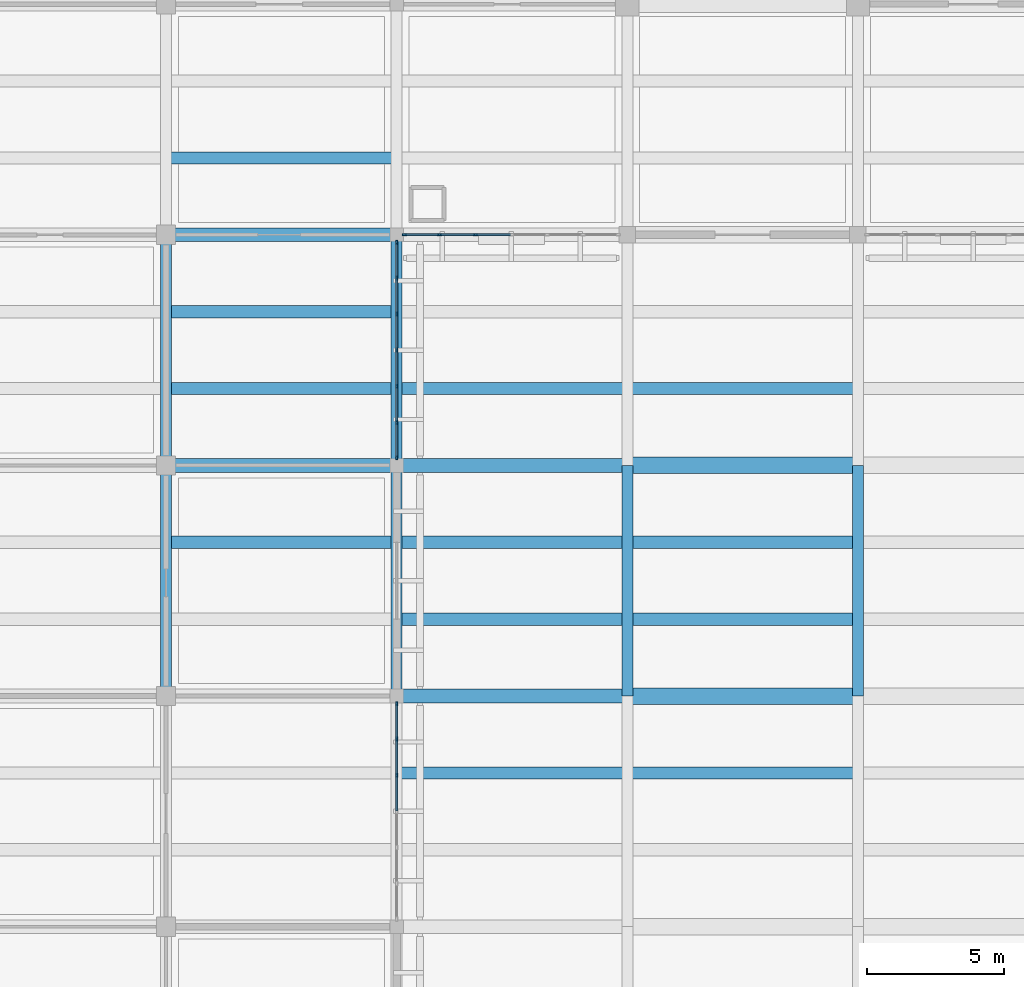
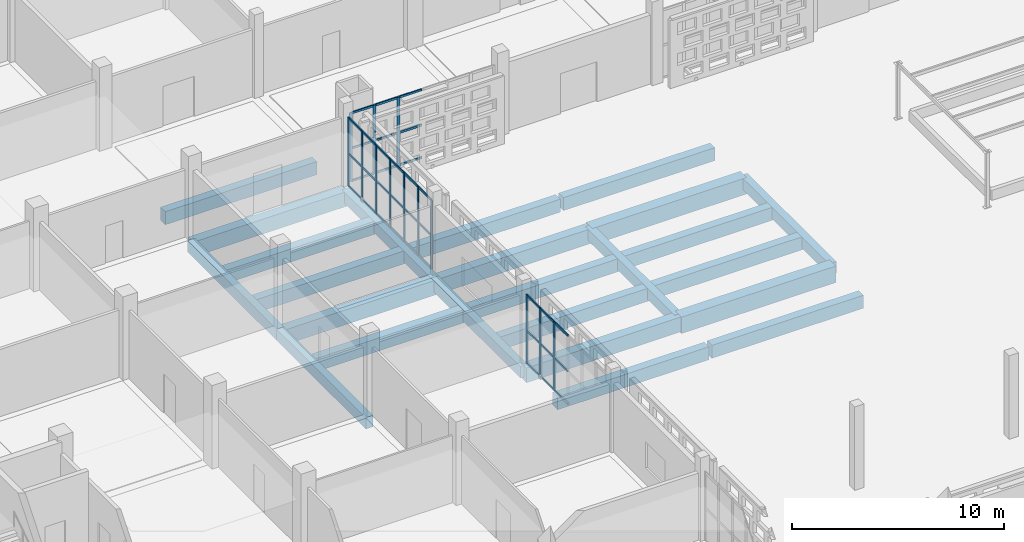
# One storey, part 21 of 129: 49 members, 24 beams, 3 elements without a shape of their own.
"""IFC4 building model written with IfcOpenShell, lengths in metres."""

from ifc_helpers import new_model, si_unit, direction, frame, origin, origin_2d, place, context, subcontext, project, spatial, rectangle, extrude, material, layer, layer_set, material_profile, profile_set, type_object, element, aggregate, save


model = new_model("IFC4")

# Units and contexts
model_context = context("Model", 3, precision=1e-05, world=origin(), true_north=direction((0.0, 1.0)))
body_context = subcontext(model_context, "Body", "Model", "MODEL_VIEW")
ifc_project = project(units=[si_unit("LENGTHUNIT", "METRE"), si_unit("AREAUNIT", "SQUARE_METRE"), si_unit("VOLUMEUNIT", "CUBIC_METRE"), si_unit("PLANEANGLEUNIT", "RADIAN"), si_unit("MASSUNIT", "GRAM", prefix="KILO")], contexts=[model_context])

# Site, building, storey
site_placement = place(None, origin())
site = spatial("IfcSite", under=ifc_project, at=site_placement, CompositionType="ELEMENT")
building_placement = place(site_placement, origin())
building = spatial("IfcBuilding", under=site, at=building_placement, Name="Varnapada Polytechnic", CompositionType="ELEMENT")
storey_placement = place(building_placement, origin())
storey = spatial("IfcBuildingStorey", under=building, at=storey_placement, Name="L00", CompositionType="ELEMENT", Elevation=0.0)

# Beams
ifc_material_1 = material(Name="Concrete C40/50", Category="concrete")
ifc_material_profile_1 = material_profile(ifc_material_1, rectangle(XDim=0.449951171875, YDim=0.75, at=origin_2d()), Name="RC 450x750")
ifc_profile_set_1 = profile_set([ifc_material_profile_1], Name="Concrete C40/50")
beam_type_1 = type_object("IfcBeamType", Name="Basement/podium secondary beam BB-01 (RC 450x750)", PredefinedType="BEAM", material=ifc_profile_set_1)
for number, where, z_axis, x_axis, name in (
    (1, (33.679931640625, 72.800048828125, -0.675048828125), (1.0, 0.0, 0.0), (0.0, 1.0, 0.0), "L00 floor joist 5/9.2"),
    (2, (33.679931640625, 78.39990234375, -0.675048828125), (1.0, 0.0, 0.0), (0.0, 1.0, 0.0), "L00 floor joist 5/10.1"),
    (3, (33.679931640625, 81.199951171875, -0.675048828125), (1.0, 0.0, 0.0), (0.0, 1.0, 0.0), "L00 floor joist 5/10.2"),
    (4, (33.679931640625, 86.800048828125, -0.675048828125), (1.0, 0.0, 0.0), (0.0, 1.0, 0.0), "L00 floor joist 5/11.1"),
    (5, (42.080078125, 64.39990234375, -0.675048828125), (1.0, 0.0, 0.0), (0.0, 1.0, 0.0), "L00 floor joist 6/8.2"),
    (6, (42.080078125, 70.0, -0.675048828125), (1.0, 0.0, 0.0), (0.0, 1.0, 0.0), "L00 floor joist 6/9.1"),
    (7, (42.080078125, 72.800048828125, -0.675048828125), (1.0, 0.0, 0.0), (0.0, 1.0, 0.0), "L00 floor joist 6/9.2"),
    (8, (42.080078125, 78.39990234375, -0.675048828125), (1.0, 0.0, 0.0), (0.0, 1.0, 0.0), "L00 floor joist 6/10.1"),
    (9, (50.47998046875, 64.39990234375, -0.655029296875), (1.0, 0.0, 0.0), (0.0, 1.0, 0.0), "L00 floor joist 7/8.2"),
    (10, (50.47998046875, 70.0, -0.655029296875), (1.0, 0.0, 0.0), (0.0, 1.0, 0.0), "L00 floor joist 7/9.1"),
    (11, (50.47998046875, 72.800048828125, -0.655029296875), (1.0, 0.0, 0.0), (0.0, 1.0, 0.0), "L00 floor joist 7/9.2"),
    (12, (50.47998046875, 78.39990234375, -0.655029296875), (1.0, 0.0, 0.0), (0.0, 1.0, 0.0), "L00 floor joist 7/10.1"),
):
    element("IfcBeam", number, at=place(storey_placement, frame(where, z_axis=z_axis, x_axis=x_axis)), inside=storey, type_object=beam_type_1, Name=name, PredefinedType="BEAM", context=body_context, shape_type="SweptSolid", body=[
        extrude(rectangle(XDim=0.449951171875, YDim=0.75, at=origin_2d()), origin(), (0.0, 0.0, 1.0), 8.239990234375),
    ])

# Curtain wall, members
ifc_material_2 = material(Name="Double low-E laminated glass", Category="glass")
ifc_layer = layer(ifc_material_2, 0.159912109375)
ifc_layer_set = layer_set([ifc_layer], Name="Double low-E laminated glass")
curtain_wall_type = type_object("IfcCurtainWallType", Name="Curtain Wall CW-01", PredefinedType="NOTDEFINED", material=ifc_layer_set)
curtain_wall_1_placement = place(storey_placement, origin())
curtain_wall_1 = element("IfcCurtainWall", 13, at=curtain_wall_1_placement, inside=storey, type_object=curtain_wall_type, Name="L00 unitised curtain wall CW-01 (2)", PredefinedType="NOTDEFINED")
ifc_material_3 = material(Name="Anodised aluminium", Category="aluminium")
ifc_material_profile_2 = material_profile(ifc_material_3, rectangle(XDim=0.06005859375, YDim=0.159912109375, at=origin_2d()), Name="ALU M60x160")
ifc_profile_set_2 = profile_set([ifc_material_profile_2], Name="Anodised aluminium")
member_type_1 = type_object("IfcMemberType", Name="Mullion M-01", PredefinedType="MULLION", material=ifc_profile_set_2)
member_1_placement = place(storey_placement, frame((42.0, 66.919921875, 0.0), z_axis=(0.0, 0.0, 1.0), x_axis=(1.0, 0.0, 0.0)))
member_1 = element("IfcMember", 14, at=member_1_placement, type_object=member_type_1, Name="CW-01 mullion 1", PredefinedType="MULLION", context=body_context, shape_type="SweptSolid", body=[
    extrude(rectangle(XDim=0.06005859375, YDim=0.159912109375, at=origin_2d()), origin(), (0.0, 0.0, 1.0), 3.9599609375),
])
member_2_placement = place(storey_placement, frame((42.0, 65.63330078125, 0.0), z_axis=(0.0, 0.0, 1.0), x_axis=(1.0, 0.0, 0.0)))
member_2 = element("IfcMember", 15, at=member_2_placement, type_object=member_type_1, Name="CW-01 mullion 2", PredefinedType="MULLION", context=body_context, shape_type="SweptSolid", body=[
    extrude(rectangle(XDim=0.06005859375, YDim=0.159912109375, at=origin_2d()), origin(), (0.0, 0.0, 1.0), 3.9599609375),
])
member_3_placement = place(storey_placement, frame((42.0, 64.316650390625, 0.0), z_axis=(0.0, 0.0, 1.0), x_axis=(1.0, 0.0, 0.0)))
member_3 = element("IfcMember", 16, at=member_3_placement, type_object=member_type_1, Name="CW-01 mullion 3", PredefinedType="MULLION", context=body_context, shape_type="SweptSolid", body=[
    extrude(rectangle(XDim=0.06005859375, YDim=0.159912109375, at=origin_2d()), origin(), (0.0, 0.0, 1.0), 3.9599609375),
])

curtain_wall_2_placement = place(storey_placement, origin())
curtain_wall_2 = element("IfcCurtainWall", 17, at=curtain_wall_2_placement, inside=storey, type_object=curtain_wall_type, Name="L00 unitised curtain wall CW-01 (3)", PredefinedType="NOTDEFINED")
member_4_placement = place(storey_placement, frame((42.0, 83.719970703125, 0.0), z_axis=(0.0, 0.0, 1.0), x_axis=(1.0, 0.0, 0.0)))
member_4 = element("IfcMember", 18, at=member_4_placement, type_object=member_type_1, Name="CW-01 mullion 1", PredefinedType="MULLION", context=body_context, shape_type="SweptSolid", body=[
    extrude(rectangle(XDim=0.06005859375, YDim=0.159912109375, at=origin_2d()), origin(), (0.0, 0.0, 1.0), 3.9599609375),
])
member_5_placement = place(storey_placement, frame((42.0, 82.433349609375, 0.0), z_axis=(0.0, 0.0, 1.0), x_axis=(1.0, 0.0, 0.0)))
member_5 = element("IfcMember", 19, at=member_5_placement, type_object=member_type_1, Name="CW-01 mullion 2", PredefinedType="MULLION", context=body_context, shape_type="SweptSolid", body=[
    extrude(rectangle(XDim=0.06005859375, YDim=0.159912109375, at=origin_2d()), origin(), (0.0, 0.0, 1.0), 3.9599609375),
])
member_6_placement = place(storey_placement, frame((42.0, 81.11669921875, 0.0), z_axis=(0.0, 0.0, 1.0), x_axis=(1.0, 0.0, 0.0)))
member_6 = element("IfcMember", 20, at=member_6_placement, type_object=member_type_1, Name="CW-01 mullion 3", PredefinedType="MULLION", context=body_context, shape_type="SweptSolid", body=[
    extrude(rectangle(XDim=0.06005859375, YDim=0.159912109375, at=origin_2d()), origin(), (0.0, 0.0, 1.0), 3.9599609375),
])
member_7_placement = place(storey_placement, frame((42.0, 79.800048828125, 0.0), z_axis=(0.0, 0.0, 1.0), x_axis=(1.0, 0.0, 0.0)))
member_7 = element("IfcMember", 21, at=member_7_placement, type_object=member_type_1, Name="CW-01 mullion 4", PredefinedType="MULLION", context=body_context, shape_type="SweptSolid", body=[
    extrude(rectangle(XDim=0.06005859375, YDim=0.159912109375, at=origin_2d()), origin(), (0.0, 0.0, 1.0), 3.9599609375),
])
member_8_placement = place(storey_placement, frame((42.0, 78.4833984375, 0.0), z_axis=(0.0, 0.0, 1.0), x_axis=(1.0, 0.0, 0.0)))
member_8 = element("IfcMember", 22, at=member_8_placement, type_object=member_type_1, Name="CW-01 mullion 5", PredefinedType="MULLION", context=body_context, shape_type="SweptSolid", body=[
    extrude(rectangle(XDim=0.06005859375, YDim=0.159912109375, at=origin_2d()), origin(), (0.0, 0.0, 1.0), 3.9599609375),
])
member_9_placement = place(storey_placement, frame((42.0, 77.166748046875, 0.0), z_axis=(0.0, 0.0, 1.0), x_axis=(1.0, 0.0, 0.0)))
member_9 = element("IfcMember", 23, at=member_9_placement, type_object=member_type_1, Name="CW-01 mullion 6", PredefinedType="MULLION", context=body_context, shape_type="SweptSolid", body=[
    extrude(rectangle(XDim=0.06005859375, YDim=0.159912109375, at=origin_2d()), origin(), (0.0, 0.0, 1.0), 3.9599609375),
])
member_10_placement = place(storey_placement, frame((42.0, 75.8798828125, 0.0), z_axis=(0.0, 0.0, 1.0), x_axis=(1.0, 0.0, 0.0)))
member_10 = element("IfcMember", 24, at=member_10_placement, type_object=member_type_1, Name="CW-01 mullion 7", PredefinedType="MULLION", context=body_context, shape_type="SweptSolid", body=[
    extrude(rectangle(XDim=0.06005859375, YDim=0.159912109375, at=origin_2d()), origin(), (0.0, 0.0, 1.0), 3.9599609375),
])

curtain_wall_3_placement = place(storey_placement, origin())
curtain_wall_3 = element("IfcCurtainWall", 25, at=curtain_wall_3_placement, inside=storey, type_object=curtain_wall_type, Name="L00 unitised curtain wall CW-01 (5)", PredefinedType="NOTDEFINED")
member_11_placement = place(storey_placement, frame((44.86669921875, 84.0, 0.0), z_axis=(0.0, 0.0, 1.0), x_axis=(0.0, -1.0, 0.0)))
member_11 = element("IfcMember", 26, at=member_11_placement, type_object=member_type_1, Name="CW-01 mullion 5", PredefinedType="MULLION", context=body_context, shape_type="SweptSolid", body=[
    extrude(rectangle(XDim=0.06005859375, YDim=0.159912109375, at=origin_2d()), origin(), (0.0, 0.0, 1.0), 3.9599609375),
])
member_12_placement = place(storey_placement, frame((43.558349609375, 84.0, 0.0), z_axis=(0.0, 0.0, 1.0), x_axis=(0.0, -1.0, 0.0)))
member_12 = element("IfcMember", 27, at=member_12_placement, type_object=member_type_1, Name="CW-01 mullion 6", PredefinedType="MULLION", context=body_context, shape_type="SweptSolid", body=[
    extrude(rectangle(XDim=0.06005859375, YDim=0.159912109375, at=origin_2d()), origin(), (0.0, 0.0, 1.0), 3.9599609375),
])
member_13_placement = place(storey_placement, frame((42.280029296875, 84.0, 0.0), z_axis=(0.0, 0.0, 1.0), x_axis=(0.0, -1.0, 0.0)))
member_13 = element("IfcMember", 28, at=member_13_placement, type_object=member_type_1, Name="CW-01 mullion 7", PredefinedType="MULLION", context=body_context, shape_type="SweptSolid", body=[
    extrude(rectangle(XDim=0.06005859375, YDim=0.159912109375, at=origin_2d()), origin(), (0.0, 0.0, 1.0), 3.9599609375),
])

# Beams
ifc_material_profile_3 = material_profile(ifc_material_1, rectangle(XDim=0.39990234375, YDim=0.64990234375, at=origin_2d()), Name="RC 400x650")
ifc_profile_set_3 = profile_set([ifc_material_profile_3], Name="Concrete C40/50")
beam_type_2 = type_object("IfcBeamType", Name="Podium framing beam BB-02 (RC 400x650)", PredefinedType="BEAM", material=ifc_profile_set_3)
beam_1_placement = place(storey_placement, frame((33.60009765625, 67.199951171875, -0.625), z_axis=(0.0, 1.0, 0.0), x_axis=(-1.0, 0.0, 0.0)))
element("IfcBeam", 29, at=beam_1_placement, inside=storey, type_object=beam_type_2, Name="L00 beam Y 9-10 at X5", PredefinedType="BEAM", context=body_context, shape_type="SweptSolid", body=[
    extrude(rectangle(XDim=0.39990234375, YDim=0.64990234375, at=origin_2d()), origin(), (0.0, 0.0, 1.0), 8.400146484375),
])
beam_2_placement = place(storey_placement, frame((33.60009765625, 75.60009765625, -0.625), z_axis=(0.0, 1.0, 0.0), x_axis=(-1.0, 0.0, 0.0)))
element("IfcBeam", 30, at=beam_2_placement, inside=storey, type_object=beam_type_2, Name="L00 beam Y 10-11 at X5", PredefinedType="BEAM", context=body_context, shape_type="SweptSolid", body=[
    extrude(rectangle(XDim=0.39990234375, YDim=0.64990234375, at=origin_2d()), origin(), (0.0, 0.0, 1.0), 8.39990234375),
])
beam_3_placement = place(storey_placement, frame((42.0, 67.199951171875, -0.625), z_axis=(0.0, 1.0, 0.0), x_axis=(-1.0, 0.0, 0.0)))
element("IfcBeam", 31, at=beam_3_placement, inside=storey, type_object=beam_type_2, Name="L00 beam Y 9-10 at X6", PredefinedType="BEAM", context=body_context, shape_type="SweptSolid", body=[
    extrude(rectangle(XDim=0.39990234375, YDim=0.64990234375, at=origin_2d()), origin(), (0.0, 0.0, 1.0), 8.400146484375),
])
beam_4_placement = place(storey_placement, frame((42.0, 75.60009765625, -0.625), z_axis=(0.0, 1.0, 0.0), x_axis=(-1.0, 0.0, 0.0)))
element("IfcBeam", 32, at=beam_4_placement, inside=storey, type_object=beam_type_2, Name="L00 beam Y 10-11 at X6", PredefinedType="BEAM", context=body_context, shape_type="SweptSolid", body=[
    extrude(rectangle(XDim=0.39990234375, YDim=0.64990234375, at=origin_2d()), origin(), (0.0, 0.0, 1.0), 8.39990234375),
])
for number, where, z_axis, x_axis, name in (
    (33, (50.39990234375, 67.199951171875, -0.60498046875), (0.0, 1.0, 0.0), (-1.0, 0.0, 0.0), "L00 beam Y 9-10 at X7"),
    (34, (58.800048828125, 67.199951171875, -0.60498046875), (0.0, 1.0, 0.0), (-1.0, 0.0, 0.0), "L00 beam Y 9-10 at X8"),
):
    element("IfcBeam", number, at=place(storey_placement, frame(where, z_axis=z_axis, x_axis=x_axis)), inside=storey, type_object=beam_type_2, Name=name, PredefinedType="BEAM", context=body_context, shape_type="SweptSolid", body=[
        extrude(rectangle(XDim=0.39990234375, YDim=0.64990234375, at=origin_2d()), origin(), (0.0, 0.0, 1.0), 8.400146484375),
    ])
ifc_material_profile_4 = material_profile(ifc_material_1, rectangle(XDim=0.5, YDim=0.85009765625, at=origin_2d()), Name="RC 500x850")
ifc_profile_set_4 = profile_set([ifc_material_profile_4], Name="Concrete C40/50")
beam_type_3 = type_object("IfcBeamType", Name="Standard podium primary girder BG-02 (RC 500x850)", PredefinedType="T_BEAM", material=ifc_profile_set_4)
for number, where, z_axis, x_axis, name in (
    (35, (33.60009765625, 75.60009765625, -0.72509765625), (1.0, 0.0, 0.0), (0.0, 1.0, 0.0), "L00 beam X 5-6 at Y10"),
    (36, (33.60009765625, 84.0, -0.72509765625), (1.0, 0.0, 0.0), (0.0, 1.0, 0.0), "L00 beam X 5-6 at Y11"),
    (37, (42.0, 67.199951171875, -0.72509765625), (1.0, 0.0, 0.0), (0.0, 1.0, 0.0), "L00 beam X 6-7 at Y9"),
    (38, (42.0, 75.60009765625, -0.72509765625), (1.0, 0.0, 0.0), (0.0, 1.0, 0.0), "L00 beam X 6-7 at Y10"),
):
    element("IfcBeam", number, at=place(storey_placement, frame(where, z_axis=z_axis, x_axis=x_axis)), inside=storey, type_object=beam_type_3, Name=name, PredefinedType="T_BEAM", context=body_context, shape_type="SweptSolid", body=[
        extrude(rectangle(XDim=0.5, YDim=0.85009765625, at=origin_2d()), origin(), (0.0, 0.0, 1.0), 8.39990234375),
    ])

# Member
ifc_material_profile_5 = material_profile(ifc_material_3, rectangle(XDim=0.06005859375, YDim=0.1201171875, at=origin_2d()), Name="ALU T60x120")
ifc_profile_set_5 = profile_set([ifc_material_profile_5], Name="Anodised aluminium")
member_type_2 = type_object("IfcMemberType", Name="Transom T-01", PredefinedType="USERDEFINED", material=ifc_profile_set_5)
member_14_placement = place(storey_placement, frame((42.0, 66.889892578125, 0.030029296875), z_axis=(0.0, -1.0, 0.0), x_axis=(1.0, 0.0, 0.0)))
member_14 = element("IfcMember", 39, at=member_14_placement, type_object=member_type_2, Name="CW-01 transom 1.1", ObjectType="TRANSOM", PredefinedType="USERDEFINED", context=body_context, shape_type="SweptSolid", body=[
    extrude(rectangle(XDim=0.06005859375, YDim=0.1201171875, at=origin_2d()), origin(), (0.0, 0.0, 1.0), 1.2265625),
])

member_15_placement = place(storey_placement, frame((42.0, 66.889892578125, 1.90087890625), z_axis=(0.0, -1.0, 0.0), x_axis=(1.0, 0.0, 0.0)))
member_15 = element("IfcMember", 40, at=member_15_placement, type_object=member_type_2, Name="CW-01 transom 1.2", ObjectType="TRANSOM", PredefinedType="USERDEFINED", context=body_context, shape_type="SweptSolid", body=[
    extrude(rectangle(XDim=0.06005859375, YDim=0.1201171875, at=origin_2d()), origin(), (0.0, 0.0, 1.0), 1.2265625),
])

member_16_placement = place(storey_placement, frame((42.0, 66.889892578125, 3.929931640625), z_axis=(0.0, -1.0, 0.0), x_axis=(1.0, 0.0, 0.0)))
member_16 = element("IfcMember", 41, at=member_16_placement, type_object=member_type_2, Name="CW-01 transom 1.3", ObjectType="TRANSOM", PredefinedType="USERDEFINED", context=body_context, shape_type="SweptSolid", body=[
    extrude(rectangle(XDim=0.06005859375, YDim=0.1201171875, at=origin_2d()), origin(), (0.0, 0.0, 1.0), 1.2265625),
])

member_17_placement = place(storey_placement, frame((42.0, 65.603271484375, 0.030029296875), z_axis=(0.0, -1.0, 0.0), x_axis=(1.0, 0.0, 0.0)))
member_17 = element("IfcMember", 42, at=member_17_placement, type_object=member_type_2, Name="CW-01 transom 2.1", ObjectType="TRANSOM", PredefinedType="USERDEFINED", context=body_context, shape_type="SweptSolid", body=[
    extrude(rectangle(XDim=0.06005859375, YDim=0.1201171875, at=origin_2d()), origin(), (0.0, 0.0, 1.0), 1.256591796875),
])

member_18_placement = place(storey_placement, frame((42.0, 65.603271484375, 1.90087890625), z_axis=(0.0, -1.0, 0.0), x_axis=(1.0, 0.0, 0.0)))
member_18 = element("IfcMember", 43, at=member_18_placement, type_object=member_type_2, Name="CW-01 transom 2.2", ObjectType="TRANSOM", PredefinedType="USERDEFINED", context=body_context, shape_type="SweptSolid", body=[
    extrude(rectangle(XDim=0.06005859375, YDim=0.1201171875, at=origin_2d()), origin(), (0.0, 0.0, 1.0), 1.256591796875),
])

member_19_placement = place(storey_placement, frame((42.0, 65.603271484375, 3.929931640625), z_axis=(0.0, -1.0, 0.0), x_axis=(1.0, 0.0, 0.0)))
member_19 = element("IfcMember", 44, at=member_19_placement, type_object=member_type_2, Name="CW-01 transom 2.3", ObjectType="TRANSOM", PredefinedType="USERDEFINED", context=body_context, shape_type="SweptSolid", body=[
    extrude(rectangle(XDim=0.06005859375, YDim=0.1201171875, at=origin_2d()), origin(), (0.0, 0.0, 1.0), 1.256591796875),
])

member_20_placement = place(storey_placement, frame((42.0, 64.28662109375, 0.030029296875), z_axis=(0.0, -1.0, 0.0), x_axis=(1.0, 0.0, 0.0)))
member_20 = element("IfcMember", 45, at=member_20_placement, type_object=member_type_2, Name="CW-01 transom 3.1", ObjectType="TRANSOM", PredefinedType="USERDEFINED", context=body_context, shape_type="SweptSolid", body=[
    extrude(rectangle(XDim=0.06005859375, YDim=0.1201171875, at=origin_2d()), origin(), (0.0, 0.0, 1.0), 1.256591796875),
])

member_21_placement = place(storey_placement, frame((42.0, 64.28662109375, 1.90087890625), z_axis=(0.0, -1.0, 0.0), x_axis=(1.0, 0.0, 0.0)))
member_21 = element("IfcMember", 46, at=member_21_placement, type_object=member_type_2, Name="CW-01 transom 3.2", ObjectType="TRANSOM", PredefinedType="USERDEFINED", context=body_context, shape_type="SweptSolid", body=[
    extrude(rectangle(XDim=0.06005859375, YDim=0.1201171875, at=origin_2d()), origin(), (0.0, 0.0, 1.0), 1.256591796875),
])

member_22_placement = place(storey_placement, frame((42.0, 64.28662109375, 3.929931640625), z_axis=(0.0, -1.0, 0.0), x_axis=(1.0, 0.0, 0.0)))
member_22 = element("IfcMember", 47, at=member_22_placement, type_object=member_type_2, Name="CW-01 transom 3.3", ObjectType="TRANSOM", PredefinedType="USERDEFINED", context=body_context, shape_type="SweptSolid", body=[
    extrude(rectangle(XDim=0.06005859375, YDim=0.1201171875, at=origin_2d()), origin(), (0.0, 0.0, 1.0), 1.256591796875),
])

aggregate(curtain_wall_1, [member_1, member_2, member_3, member_14, member_15, member_16, member_17, member_18, member_19, member_20, member_21, member_22])

member_23_placement = place(storey_placement, frame((42.0, 83.68994140625, 0.030029296875), z_axis=(0.0, -1.0, 0.0), x_axis=(1.0, 0.0, 0.0)))
member_23 = element("IfcMember", 48, at=member_23_placement, type_object=member_type_2, Name="CW-01 transom 1.1", ObjectType="TRANSOM", PredefinedType="USERDEFINED", context=body_context, shape_type="SweptSolid", body=[
    extrude(rectangle(XDim=0.06005859375, YDim=0.1201171875, at=origin_2d()), origin(), (0.0, 0.0, 1.0), 1.2265625),
])

member_24_placement = place(storey_placement, frame((42.0, 83.68994140625, 1.90087890625), z_axis=(0.0, -1.0, 0.0), x_axis=(1.0, 0.0, 0.0)))
member_24 = element("IfcMember", 49, at=member_24_placement, type_object=member_type_2, Name="CW-01 transom 1.2", ObjectType="TRANSOM", PredefinedType="USERDEFINED", context=body_context, shape_type="SweptSolid", body=[
    extrude(rectangle(XDim=0.06005859375, YDim=0.1201171875, at=origin_2d()), origin(), (0.0, 0.0, 1.0), 1.2265625),
])

member_25_placement = place(storey_placement, frame((42.0, 83.68994140625, 3.929931640625), z_axis=(0.0, -1.0, 0.0), x_axis=(1.0, 0.0, 0.0)))
member_25 = element("IfcMember", 50, at=member_25_placement, type_object=member_type_2, Name="CW-01 transom 1.3", ObjectType="TRANSOM", PredefinedType="USERDEFINED", context=body_context, shape_type="SweptSolid", body=[
    extrude(rectangle(XDim=0.06005859375, YDim=0.1201171875, at=origin_2d()), origin(), (0.0, 0.0, 1.0), 1.2265625),
])

member_26_placement = place(storey_placement, frame((42.0, 82.4033203125, 0.030029296875), z_axis=(0.0, -1.0, 0.0), x_axis=(1.0, 0.0, 0.0)))
member_26 = element("IfcMember", 51, at=member_26_placement, type_object=member_type_2, Name="CW-01 transom 2.1", ObjectType="TRANSOM", PredefinedType="USERDEFINED", context=body_context, shape_type="SweptSolid", body=[
    extrude(rectangle(XDim=0.06005859375, YDim=0.1201171875, at=origin_2d()), origin(), (0.0, 0.0, 1.0), 1.256591796875),
])

member_27_placement = place(storey_placement, frame((42.0, 82.4033203125, 1.90087890625), z_axis=(0.0, -1.0, 0.0), x_axis=(1.0, 0.0, 0.0)))
member_27 = element("IfcMember", 52, at=member_27_placement, type_object=member_type_2, Name="CW-01 transom 2.2", ObjectType="TRANSOM", PredefinedType="USERDEFINED", context=body_context, shape_type="SweptSolid", body=[
    extrude(rectangle(XDim=0.06005859375, YDim=0.1201171875, at=origin_2d()), origin(), (0.0, 0.0, 1.0), 1.256591796875),
])

member_28_placement = place(storey_placement, frame((42.0, 82.4033203125, 3.929931640625), z_axis=(0.0, -1.0, 0.0), x_axis=(1.0, 0.0, 0.0)))
member_28 = element("IfcMember", 53, at=member_28_placement, type_object=member_type_2, Name="CW-01 transom 2.3", ObjectType="TRANSOM", PredefinedType="USERDEFINED", context=body_context, shape_type="SweptSolid", body=[
    extrude(rectangle(XDim=0.06005859375, YDim=0.1201171875, at=origin_2d()), origin(), (0.0, 0.0, 1.0), 1.256591796875),
])

member_29_placement = place(storey_placement, frame((42.0, 81.086669921875, 0.030029296875), z_axis=(0.0, -1.0, 0.0), x_axis=(1.0, 0.0, 0.0)))
member_29 = element("IfcMember", 54, at=member_29_placement, type_object=member_type_2, Name="CW-01 transom 3.1", ObjectType="TRANSOM", PredefinedType="USERDEFINED", context=body_context, shape_type="SweptSolid", body=[
    extrude(rectangle(XDim=0.06005859375, YDim=0.1201171875, at=origin_2d()), origin(), (0.0, 0.0, 1.0), 1.256591796875),
])

member_30_placement = place(storey_placement, frame((42.0, 81.086669921875, 1.90087890625), z_axis=(0.0, -1.0, 0.0), x_axis=(1.0, 0.0, 0.0)))
member_30 = element("IfcMember", 55, at=member_30_placement, type_object=member_type_2, Name="CW-01 transom 3.2", ObjectType="TRANSOM", PredefinedType="USERDEFINED", context=body_context, shape_type="SweptSolid", body=[
    extrude(rectangle(XDim=0.06005859375, YDim=0.1201171875, at=origin_2d()), origin(), (0.0, 0.0, 1.0), 1.256591796875),
])

member_31_placement = place(storey_placement, frame((42.0, 81.086669921875, 3.929931640625), z_axis=(0.0, -1.0, 0.0), x_axis=(1.0, 0.0, 0.0)))
member_31 = element("IfcMember", 56, at=member_31_placement, type_object=member_type_2, Name="CW-01 transom 3.3", ObjectType="TRANSOM", PredefinedType="USERDEFINED", context=body_context, shape_type="SweptSolid", body=[
    extrude(rectangle(XDim=0.06005859375, YDim=0.1201171875, at=origin_2d()), origin(), (0.0, 0.0, 1.0), 1.256591796875),
])

member_32_placement = place(storey_placement, frame((42.0, 79.77001953125, 0.030029296875), z_axis=(0.0, -1.0, 0.0), x_axis=(1.0, 0.0, 0.0)))
member_32 = element("IfcMember", 57, at=member_32_placement, type_object=member_type_2, Name="CW-01 transom 4.1", ObjectType="TRANSOM", PredefinedType="USERDEFINED", context=body_context, shape_type="SweptSolid", body=[
    extrude(rectangle(XDim=0.06005859375, YDim=0.1201171875, at=origin_2d()), origin(), (0.0, 0.0, 1.0), 1.256591796875),
])

member_33_placement = place(storey_placement, frame((42.0, 79.77001953125, 1.90087890625), z_axis=(0.0, -1.0, 0.0), x_axis=(1.0, 0.0, 0.0)))
member_33 = element("IfcMember", 58, at=member_33_placement, type_object=member_type_2, Name="CW-01 transom 4.2", ObjectType="TRANSOM", PredefinedType="USERDEFINED", context=body_context, shape_type="SweptSolid", body=[
    extrude(rectangle(XDim=0.06005859375, YDim=0.1201171875, at=origin_2d()), origin(), (0.0, 0.0, 1.0), 1.256591796875),
])

member_34_placement = place(storey_placement, frame((42.0, 79.77001953125, 3.929931640625), z_axis=(0.0, -1.0, 0.0), x_axis=(1.0, 0.0, 0.0)))
member_34 = element("IfcMember", 59, at=member_34_placement, type_object=member_type_2, Name="CW-01 transom 4.3", ObjectType="TRANSOM", PredefinedType="USERDEFINED", context=body_context, shape_type="SweptSolid", body=[
    extrude(rectangle(XDim=0.06005859375, YDim=0.1201171875, at=origin_2d()), origin(), (0.0, 0.0, 1.0), 1.256591796875),
])

member_35_placement = place(storey_placement, frame((42.0, 78.453369140625, 0.030029296875), z_axis=(0.0, -1.0, 0.0), x_axis=(1.0, 0.0, 0.0)))
member_35 = element("IfcMember", 60, at=member_35_placement, type_object=member_type_2, Name="CW-01 transom 5.1", ObjectType="TRANSOM", PredefinedType="USERDEFINED", context=body_context, shape_type="SweptSolid", body=[
    extrude(rectangle(XDim=0.06005859375, YDim=0.1201171875, at=origin_2d()), origin(), (0.0, 0.0, 1.0), 1.256591796875),
])

member_36_placement = place(storey_placement, frame((42.0, 78.453369140625, 1.90087890625), z_axis=(0.0, -1.0, 0.0), x_axis=(1.0, 0.0, 0.0)))
member_36 = element("IfcMember", 61, at=member_36_placement, type_object=member_type_2, Name="CW-01 transom 5.2", ObjectType="TRANSOM", PredefinedType="USERDEFINED", context=body_context, shape_type="SweptSolid", body=[
    extrude(rectangle(XDim=0.06005859375, YDim=0.1201171875, at=origin_2d()), origin(), (0.0, 0.0, 1.0), 1.256591796875),
])

member_37_placement = place(storey_placement, frame((42.0, 78.453369140625, 3.929931640625), z_axis=(0.0, -1.0, 0.0), x_axis=(1.0, 0.0, 0.0)))
member_37 = element("IfcMember", 62, at=member_37_placement, type_object=member_type_2, Name="CW-01 transom 5.3", ObjectType="TRANSOM", PredefinedType="USERDEFINED", context=body_context, shape_type="SweptSolid", body=[
    extrude(rectangle(XDim=0.06005859375, YDim=0.1201171875, at=origin_2d()), origin(), (0.0, 0.0, 1.0), 1.256591796875),
])

member_38_placement = place(storey_placement, frame((42.0, 77.13671875, 0.030029296875), z_axis=(0.0, -1.0, 0.0), x_axis=(1.0, 0.0, 0.0)))
member_38 = element("IfcMember", 63, at=member_38_placement, type_object=member_type_2, Name="CW-01 transom 6.1", ObjectType="TRANSOM", PredefinedType="USERDEFINED", context=body_context, shape_type="SweptSolid", body=[
    extrude(rectangle(XDim=0.06005859375, YDim=0.1201171875, at=origin_2d()), origin(), (0.0, 0.0, 1.0), 1.226806640625),
])

member_39_placement = place(storey_placement, frame((42.0, 77.13671875, 1.90087890625), z_axis=(0.0, -1.0, 0.0), x_axis=(1.0, 0.0, 0.0)))
member_39 = element("IfcMember", 64, at=member_39_placement, type_object=member_type_2, Name="CW-01 transom 6.2", ObjectType="TRANSOM", PredefinedType="USERDEFINED", context=body_context, shape_type="SweptSolid", body=[
    extrude(rectangle(XDim=0.06005859375, YDim=0.1201171875, at=origin_2d()), origin(), (0.0, 0.0, 1.0), 1.226806640625),
])

member_40_placement = place(storey_placement, frame((42.0, 77.13671875, 3.929931640625), z_axis=(0.0, -1.0, 0.0), x_axis=(1.0, 0.0, 0.0)))
member_40 = element("IfcMember", 65, at=member_40_placement, type_object=member_type_2, Name="CW-01 transom 6.3", ObjectType="TRANSOM", PredefinedType="USERDEFINED", context=body_context, shape_type="SweptSolid", body=[
    extrude(rectangle(XDim=0.06005859375, YDim=0.1201171875, at=origin_2d()), origin(), (0.0, 0.0, 1.0), 1.226806640625),
])

aggregate(curtain_wall_2, [member_4, member_5, member_6, member_7, member_8, member_9, member_10, member_23, member_24, member_25, member_26, member_27, member_28, member_29, member_30, member_31, member_32, member_33, member_34, member_35, member_36, member_37, member_38, member_39, member_40])

member_41_placement = place(storey_placement, frame((46.14501953125, 84.0, 0.030029296875), z_axis=(-1.0, 0.0, 0.0), x_axis=(0.0, -1.0, 0.0)))
member_41 = element("IfcMember", 66, at=member_41_placement, type_object=member_type_2, Name="CW-01 transom 4.1", ObjectType="TRANSOM", PredefinedType="USERDEFINED", context=body_context, shape_type="SweptSolid", body=[
    extrude(rectangle(XDim=0.06005859375, YDim=0.1201171875, at=origin_2d()), origin(), (0.0, 0.0, 1.0), 1.248291015625),
])

member_42_placement = place(storey_placement, frame((46.14501953125, 84.0, 1.90087890625), z_axis=(-1.0, 0.0, 0.0), x_axis=(0.0, -1.0, 0.0)))
member_42 = element("IfcMember", 67, at=member_42_placement, type_object=member_type_2, Name="CW-01 transom 4.2", ObjectType="TRANSOM", PredefinedType="USERDEFINED", context=body_context, shape_type="SweptSolid", body=[
    extrude(rectangle(XDim=0.06005859375, YDim=0.1201171875, at=origin_2d()), origin(), (0.0, 0.0, 1.0), 1.248291015625),
])

member_43_placement = place(storey_placement, frame((46.14501953125, 84.0, 3.929931640625), z_axis=(-1.0, 0.0, 0.0), x_axis=(0.0, -1.0, 0.0)))
member_43 = element("IfcMember", 68, at=member_43_placement, type_object=member_type_2, Name="CW-01 transom 4.3", ObjectType="TRANSOM", PredefinedType="USERDEFINED", context=body_context, shape_type="SweptSolid", body=[
    extrude(rectangle(XDim=0.06005859375, YDim=0.1201171875, at=origin_2d()), origin(), (0.0, 0.0, 1.0), 1.248291015625),
])

member_44_placement = place(storey_placement, frame((44.836669921875, 84.0, 0.030029296875), z_axis=(-1.0, 0.0, 0.0), x_axis=(0.0, -1.0, 0.0)))
member_44 = element("IfcMember", 69, at=member_44_placement, type_object=member_type_2, Name="CW-01 transom 5.1", ObjectType="TRANSOM", PredefinedType="USERDEFINED", context=body_context, shape_type="SweptSolid", body=[
    extrude(rectangle(XDim=0.06005859375, YDim=0.1201171875, at=origin_2d()), origin(), (0.0, 0.0, 1.0), 1.248291015625),
])

member_45_placement = place(storey_placement, frame((44.836669921875, 84.0, 1.90087890625), z_axis=(-1.0, 0.0, 0.0), x_axis=(0.0, -1.0, 0.0)))
member_45 = element("IfcMember", 70, at=member_45_placement, type_object=member_type_2, Name="CW-01 transom 5.2", ObjectType="TRANSOM", PredefinedType="USERDEFINED", context=body_context, shape_type="SweptSolid", body=[
    extrude(rectangle(XDim=0.06005859375, YDim=0.1201171875, at=origin_2d()), origin(), (0.0, 0.0, 1.0), 1.248291015625),
])

member_46_placement = place(storey_placement, frame((44.836669921875, 84.0, 3.929931640625), z_axis=(-1.0, 0.0, 0.0), x_axis=(0.0, -1.0, 0.0)))
member_46 = element("IfcMember", 71, at=member_46_placement, type_object=member_type_2, Name="CW-01 transom 5.3", ObjectType="TRANSOM", PredefinedType="USERDEFINED", context=body_context, shape_type="SweptSolid", body=[
    extrude(rectangle(XDim=0.06005859375, YDim=0.1201171875, at=origin_2d()), origin(), (0.0, 0.0, 1.0), 1.248291015625),
])

member_47_placement = place(storey_placement, frame((43.5283203125, 84.0, 0.030029296875), z_axis=(-1.0, 0.0, 0.0), x_axis=(0.0, -1.0, 0.0)))
member_47 = element("IfcMember", 72, at=member_47_placement, type_object=member_type_2, Name="CW-01 transom 6.1", ObjectType="TRANSOM", PredefinedType="USERDEFINED", context=body_context, shape_type="SweptSolid", body=[
    extrude(rectangle(XDim=0.06005859375, YDim=0.1201171875, at=origin_2d()), origin(), (0.0, 0.0, 1.0), 1.21826171875),
])

member_48_placement = place(storey_placement, frame((43.5283203125, 84.0, 1.90087890625), z_axis=(-1.0, 0.0, 0.0), x_axis=(0.0, -1.0, 0.0)))
member_48 = element("IfcMember", 73, at=member_48_placement, type_object=member_type_2, Name="CW-01 transom 6.2", ObjectType="TRANSOM", PredefinedType="USERDEFINED", context=body_context, shape_type="SweptSolid", body=[
    extrude(rectangle(XDim=0.06005859375, YDim=0.1201171875, at=origin_2d()), origin(), (0.0, 0.0, 1.0), 1.21826171875),
])

member_49_placement = place(storey_placement, frame((43.5283203125, 84.0, 3.929931640625), z_axis=(-1.0, 0.0, 0.0), x_axis=(0.0, -1.0, 0.0)))
member_49 = element("IfcMember", 74, at=member_49_placement, type_object=member_type_2, Name="CW-01 transom 6.3", ObjectType="TRANSOM", PredefinedType="USERDEFINED", context=body_context, shape_type="SweptSolid", body=[
    extrude(rectangle(XDim=0.06005859375, YDim=0.1201171875, at=origin_2d()), origin(), (0.0, 0.0, 1.0), 1.21826171875),
])

aggregate(curtain_wall_3, [member_11, member_12, member_13, member_41, member_42, member_43, member_44, member_45, member_46, member_47, member_48, member_49])

# Beams
ifc_material_profile_6 = material_profile(ifc_material_1, rectangle(XDim=0.60009765625, YDim=0.949951171875, at=origin_2d()), Name="RC 600x950")
ifc_profile_set_6 = profile_set([ifc_material_profile_6], Name="Concrete C40/50")
beam_type_4 = type_object("IfcBeamType", Name="Workshop podium heavy girder BG-03 (RC 600x950)", PredefinedType="T_BEAM", material=ifc_profile_set_6)
for number, where, z_axis, x_axis, name in (
    (75, (50.39990234375, 67.199951171875, -0.7548828125), (1.0, 0.0, 0.0), (0.0, 1.0, 0.0), "L00 beam X 7-8 at Y9"),
    (76, (50.39990234375, 75.60009765625, -0.7548828125), (1.0, 0.0, 0.0), (0.0, 1.0, 0.0), "L00 beam X 7-8 at Y10"),
):
    element("IfcBeam", number, at=place(storey_placement, frame(where, z_axis=z_axis, x_axis=x_axis)), inside=storey, type_object=beam_type_4, Name=name, PredefinedType="T_BEAM", context=body_context, shape_type="SweptSolid", body=[
        extrude(rectangle(XDim=0.60009765625, YDim=0.949951171875, at=origin_2d()), origin(), (0.0, 0.0, 1.0), 8.400146484375),
    ])

save(model, "model.ifc")
